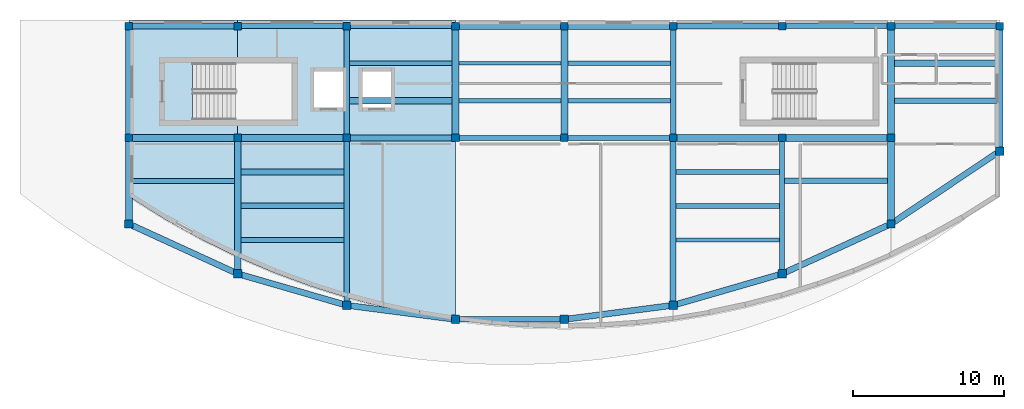
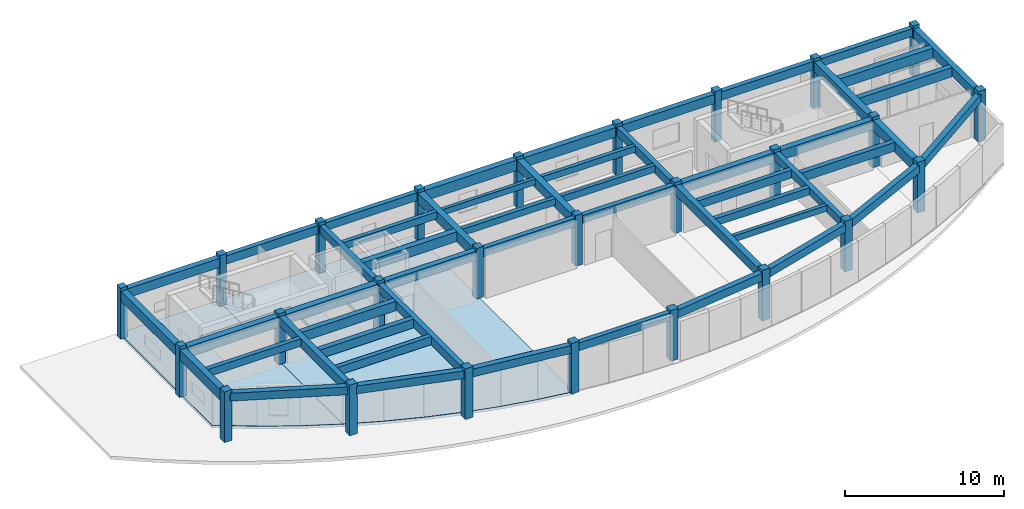
# One storey, part 1 of 6: 52 beams, 26 columns, 2 slabs.
"""IFC4 building model written with IfcOpenShell, lengths in metres."""

from ifc_helpers import new_model, si_unit, direction, frame, origin, origin_2d, place, context, subcontext, project, spatial, polyline, rectangle, outline, extrude, material, layer, layer_set, material_profile, profile_set, type_object, element, save


model = new_model("IFC4")

# Units and contexts
model_context = context("Model", 3, precision=1e-05, world=origin(), true_north=direction((0.0, 1.0)))
body_context = subcontext(model_context, "Body", "Model", "MODEL_VIEW")
ifc_project = project(units=[si_unit("LENGTHUNIT", "METRE"), si_unit("AREAUNIT", "SQUARE_METRE"), si_unit("VOLUMEUNIT", "CUBIC_METRE"), si_unit("PLANEANGLEUNIT", "RADIAN"), si_unit("MASSUNIT", "GRAM", prefix="KILO")], contexts=[model_context])

# Site, building, storey
site_placement = place(None, origin())
site = spatial("IfcSite", under=ifc_project, at=site_placement, CompositionType="ELEMENT")
building_placement = place(site_placement, origin())
building = spatial("IfcBuilding", under=site, at=building_placement, Name="Brisavento Harbour Community Centre", CompositionType="ELEMENT")
storey_placement = place(building_placement, frame((0.0, 0.0, 20.699951171875)))
storey = spatial("IfcBuildingStorey", under=building, at=storey_placement, Name="L05", CompositionType="ELEMENT", Elevation=20.699951171875)

# Columns
ifc_material = material(Name="Concrete C35/45", Category="concrete")
ifc_material_profile_1 = material_profile(ifc_material, rectangle(XDim=0.5, YDim=0.5, at=origin_2d()), Name="Concrete C35/45")
ifc_profile_set_1 = profile_set([ifc_material_profile_1], Name="Concrete C35/45")
column_type_1 = type_object("IfcColumnType", Name="COL-RC-500", PredefinedType="COLUMN", material=ifc_profile_set_1)
for number, where, z_axis, x_axis, name in (
    (1, (115.199951171875, 15.0, 0.0), (0.0, 0.0, 1.0), (1.0, 0.0, 0.0), "L05 column V3M-115"),
    (2, (115.199951171875, 22.39990234375, 0.0), (0.0, 0.0, 1.0), (1.0, 0.0, 0.0), "L05 column V3N1-115"),
    (3, (122.39990234375, 15.0, 0.0), (0.0, 0.0, 1.0), (1.0, 0.0, 0.0), "L05 column V3M-122"),
    (4, (122.39990234375, 22.39990234375, 0.0), (0.0, 0.0, 1.0), (1.0, 0.0, 0.0), "L05 column V3N1-122"),
    (5, (129.60009765625, 15.0, 0.0), (0.0, 0.0, 1.0), (1.0, 0.0, 0.0), "L05 column V3M-129"),
    (6, (129.60009765625, 22.39990234375, 0.0), (0.0, 0.0, 1.0), (1.0, 0.0, 0.0), "L05 column V3N1-129"),
    (7, (136.800048828125, 15.0, 0.0), (0.0, 0.0, 1.0), (1.0, 0.0, 0.0), "L05 column V3M-136"),
    (8, (136.800048828125, 22.39990234375, 0.0), (0.0, 0.0, 1.0), (1.0, 0.0, 0.0), "L05 column V3N1-136"),
    (9, (144.0, 15.0, 0.0), (0.0, 0.0, 1.0), (1.0, 0.0, 0.0), "L05 column V3M-144"),
    (10, (144.0, 22.39990234375, 0.0), (0.0, 0.0, 1.0), (1.0, 0.0, 0.0), "L05 column V3N1-144"),
    (11, (151.199951171875, 15.0, 0.0), (0.0, 0.0, 1.0), (1.0, 0.0, 0.0), "L05 column V3M-151"),
    (12, (151.199951171875, 22.39990234375, 0.0), (0.0, 0.0, 1.0), (1.0, 0.0, 0.0), "L05 column V3N1-151"),
    (13, (158.39990234375, 15.0, 0.0), (0.0, 0.0, 1.0), (1.0, 0.0, 0.0), "L05 column V3M-158"),
    (14, (158.39990234375, 22.39990234375, 0.0), (0.0, 0.0, 1.0), (1.0, 0.0, 0.0), "L05 column V3N1-158"),
    (15, (165.60009765625, 15.0, 0.0), (0.0, 0.0, 1.0), (1.0, 0.0, 0.0), "L05 column V3M-165"),
    (16, (165.60009765625, 22.39990234375, 0.0), (0.0, 0.0, 1.0), (1.0, 0.0, 0.0), "L05 column V3N1-165"),
    (17, (172.800048828125, 22.39990234375, 0.0), (0.0, 0.0, 1.0), (1.0, 0.0, 0.0), "L05 column V3N1-172"),
):
    element("IfcColumn", number, at=place(storey_placement, frame(where, z_axis=z_axis, x_axis=x_axis)), inside=storey, type_object=column_type_1, Name=name, PredefinedType="COLUMN", context=body_context, shape_type="SweptSolid", body=[
        extrude(rectangle(XDim=0.5, YDim=0.5, at=origin_2d()), origin(), (0.0, 0.0, 1.0), 3.900146484375),
    ])
ifc_material_profile_2 = material_profile(ifc_material, rectangle(XDim=0.550048828125, YDim=0.550048828125, at=origin_2d()), Name="Concrete C35/45")
ifc_profile_set_2 = profile_set([ifc_material_profile_2], Name="Concrete C35/45")
column_type_2 = type_object("IfcColumnType", Name="COL-RC-550", PredefinedType="COLUMN", material=ifc_profile_set_2)
for number, where, z_axis, x_axis, name in (
    (18, (115.199951171875, 9.31396484375, 0.0), (0.0, 0.0, 1.0), (1.0, 0.0, 0.0), "L05 column V3S-115"),
    (19, (122.39990234375, 6.014892578125, 0.0), (0.0, 0.0, 1.0), (1.0, 0.0, 0.0), "L05 column V3S-122"),
    (20, (129.60009765625, 3.93408203125, 0.0), (0.0, 0.0, 1.0), (1.0, 0.0, 0.0), "L05 column V3S-129"),
    (21, (136.800048828125, 3.0, 0.0), (0.0, 0.0, 1.0), (1.0, 0.0, 0.0), "L05 column V3S-136"),
    (22, (144.0, 3.0, 0.0), (0.0, 0.0, 1.0), (1.0, 0.0, 0.0), "L05 column V3S-144"),
    (23, (151.199951171875, 3.93408203125, 0.0), (0.0, 0.0, 1.0), (1.0, 0.0, 0.0), "L05 column V3S-151"),
    (24, (158.39990234375, 6.014892578125, 0.0), (0.0, 0.0, 1.0), (1.0, 0.0, 0.0), "L05 column V3S-158"),
    (25, (165.60009765625, 9.31396484375, 0.0), (0.0, 0.0, 1.0), (1.0, 0.0, 0.0), "L05 column V3S-165"),
    (26, (172.800048828125, 14.1279296875, 0.0), (0.0, 0.0, 1.0), (1.0, 0.0, 0.0), "L05 column V3S-172"),
):
    element("IfcColumn", number, at=place(storey_placement, frame(where, z_axis=z_axis, x_axis=x_axis)), inside=storey, type_object=column_type_2, Name=name, PredefinedType="COLUMN", context=body_context, shape_type="SweptSolid", body=[
        extrude(rectangle(XDim=0.550048828125, YDim=0.550048828125, at=origin_2d()), origin(), (0.0, 0.0, 1.0), 3.900146484375),
    ])

# Beams
ifc_material_profile_3 = material_profile(ifc_material, rectangle(XDim=0.25, YDim=0.449951171875, at=origin_2d()), Name="Concrete C35/45")
ifc_profile_set_3 = profile_set([ifc_material_profile_3], Name="Concrete C35/45")
beam_type_1 = type_object("IfcBeamType", Name="BM-JST-250x450", PredefinedType="JOIST", material=ifc_profile_set_3)
beam_1_placement = place(storey_placement, frame((137.02490234375, 19.933349609375, 3.43505859375), z_axis=(1.0, 0.0, 0.0), x_axis=(0.0, 1.0, 0.0)))
element("IfcBeam", 27, at=beam_1_placement, inside=storey, type_object=beam_type_1, Name="L05 secondary floor joist 0365", PredefinedType="JOIST", context=body_context, shape_type="SweptSolid", body=[
    extrude(rectangle(XDim=0.25, YDim=0.449951171875, at=origin_2d()), origin(), (0.0, 0.0, 1.0), 6.75),
])
ifc_material_profile_4 = material_profile(ifc_material, rectangle(XDim=0.260009765625, YDim=0.4599609375, at=origin_2d()), Name="Concrete C35/45")
ifc_profile_set_4 = profile_set([ifc_material_profile_4], Name="Concrete C35/45")
beam_type_2 = type_object("IfcBeamType", Name="BM-JST-260x460", PredefinedType="JOIST", material=ifc_profile_set_4)
beam_2_placement = place(storey_placement, frame((151.39990234375, 8.26123046875, 3.429931640625), z_axis=(1.0, 0.0, 0.0), x_axis=(0.0, 1.0, 0.0)))
element("IfcBeam", 28, at=beam_2_placement, inside=storey, type_object=beam_type_2, Name="L05 secondary floor joist 0368", PredefinedType="JOIST", context=body_context, shape_type="SweptSolid", body=[
    extrude(rectangle(XDim=0.260009765625, YDim=0.4599609375, at=origin_2d()), origin(), (0.0, 0.0, 1.0), 6.8251953125),
])
ifc_material_profile_5 = material_profile(ifc_material, rectangle(XDim=0.280029296875, YDim=0.47998046875, at=origin_2d()), Name="Concrete C35/45")
ifc_profile_set_5 = profile_set([ifc_material_profile_5], Name="Concrete C35/45")
beam_type_3 = type_object("IfcBeamType", Name="BM-JST-280x480", PredefinedType="JOIST", material=ifc_profile_set_5)
beam_3_placement = place(storey_placement, frame((144.22509765625, 19.933349609375, 3.420166015625), z_axis=(1.0, 0.0, 0.0), x_axis=(0.0, 1.0, 0.0)))
element("IfcBeam", 29, at=beam_3_placement, inside=storey, type_object=beam_type_3, Name="L05 secondary floor joist 0367", PredefinedType="JOIST", context=body_context, shape_type="SweptSolid", body=[
    extrude(rectangle(XDim=0.280029296875, YDim=0.47998046875, at=origin_2d()), origin(), (0.0, 0.0, 1.0), 6.7998046875),
])
ifc_material_profile_6 = material_profile(ifc_material, rectangle(XDim=0.280029296875, YDim=0.52001953125, at=origin_2d()), Name="Concrete C35/45")
ifc_profile_set_6 = profile_set([ifc_material_profile_6], Name="Concrete C35/45")
beam_type_4 = type_object("IfcBeamType", Name="BM-JST-280x520", PredefinedType="JOIST", material=ifc_profile_set_6)
beam_4_placement = place(storey_placement, frame((144.22509765625, 17.466796875, 3.400146484375), z_axis=(1.0, 0.0, 0.0), x_axis=(0.0, 1.0, 0.0)))
element("IfcBeam", 30, at=beam_4_placement, inside=storey, type_object=beam_type_4, Name="L05 secondary floor joist 0366", PredefinedType="JOIST", context=body_context, shape_type="SweptSolid", body=[
    extrude(rectangle(XDim=0.280029296875, YDim=0.52001953125, at=origin_2d()), origin(), (0.0, 0.0, 1.0), 6.7998046875),
])
ifc_material_profile_7 = material_profile(ifc_material, rectangle(XDim=0.300048828125, YDim=0.5, at=origin_2d()), Name="Concrete C35/45")
ifc_profile_set_7 = profile_set([ifc_material_profile_7], Name="Concrete C35/45")
beam_type_5 = type_object("IfcBeamType", Name="BM-JST-300x500", PredefinedType="JOIST", material=ifc_profile_set_7)
beam_5_placement = place(storey_placement, frame((137.02490234375, 17.466796875, 3.41015625), z_axis=(1.0, 0.0, 0.0), x_axis=(0.0, 1.0, 0.0)))
element("IfcBeam", 31, at=beam_5_placement, inside=storey, type_object=beam_type_5, Name="L05 secondary floor joist 0364", PredefinedType="JOIST", context=body_context, shape_type="SweptSolid", body=[
    extrude(rectangle(XDim=0.300048828125, YDim=0.5, at=origin_2d()), origin(), (0.0, 0.0, 1.0), 6.75),
])
ifc_material_profile_8 = material_profile(ifc_material, rectangle(XDim=0.300048828125, YDim=0.550048828125, at=origin_2d()), Name="Concrete C35/45")
ifc_profile_set_8 = profile_set([ifc_material_profile_8], Name="Concrete C35/45")
beam_type_6 = type_object("IfcBeamType", Name="BM-JST-300x550", PredefinedType="JOIST", material=ifc_profile_set_8)
beam_6_placement = place(storey_placement, frame((129.77490234375, 19.933349609375, 3.385009765625), z_axis=(1.0, 0.0, 0.0), x_axis=(0.0, 1.0, 0.0)))
element("IfcBeam", 32, at=beam_6_placement, inside=storey, type_object=beam_type_6, Name="L05 secondary floor joist 0363", PredefinedType="JOIST", context=body_context, shape_type="SweptSolid", body=[
    extrude(rectangle(XDim=0.300048828125, YDim=0.550048828125, at=origin_2d()), origin(), (0.0, 0.0, 1.0), 6.800048828125),
])
ifc_material_profile_9 = material_profile(ifc_material, rectangle(XDim=0.320068359375, YDim=0.56005859375, at=origin_2d()), Name="Concrete C35/45")
ifc_profile_set_9 = profile_set([ifc_material_profile_9], Name="Concrete C35/45")
beam_type_7 = type_object("IfcBeamType", Name="BM-JST-320x560", PredefinedType="JOIST", material=ifc_profile_set_9)
beam_7_placement = place(storey_placement, frame((115.425048828125, 12.156982421875, 3.380126953125), z_axis=(1.0, 0.0, 0.0), x_axis=(0.0, 1.0, 0.0)))
element("IfcBeam", 33, at=beam_7_placement, inside=storey, type_object=beam_type_7, Name="L05 secondary floor joist 0358", PredefinedType="JOIST", context=body_context, shape_type="SweptSolid", body=[
    extrude(rectangle(XDim=0.320068359375, YDim=0.56005859375, at=origin_2d()), origin(), (0.0, 0.0, 1.0), 6.77490234375),
])
beam_8_placement = place(storey_placement, frame((151.39990234375, 10.507568359375, 3.380126953125), z_axis=(1.0, 0.0, 0.0), x_axis=(0.0, 1.0, 0.0)))
element("IfcBeam", 34, at=beam_8_placement, inside=storey, type_object=beam_type_7, Name="L05 secondary floor joist 0369", PredefinedType="JOIST", context=body_context, shape_type="SweptSolid", body=[
    extrude(rectangle(XDim=0.320068359375, YDim=0.56005859375, at=origin_2d()), origin(), (0.0, 0.0, 1.0), 6.8251953125),
])
ifc_material_profile_10 = material_profile(ifc_material, rectangle(XDim=0.320068359375, YDim=0.6201171875, at=origin_2d()), Name="Concrete C35/45")
ifc_profile_set_10 = profile_set([ifc_material_profile_10], Name="Concrete C35/45")
beam_type_8 = type_object("IfcBeamType", Name="BM-JST-320x620", PredefinedType="JOIST", material=ifc_profile_set_10)
beam_9_placement = place(storey_placement, frame((122.60009765625, 8.26123046875, 3.35009765625), z_axis=(1.0, 0.0, 0.0), x_axis=(0.0, 1.0, 0.0)))
element("IfcBeam", 35, at=beam_9_placement, inside=storey, type_object=beam_type_8, Name="L05 secondary floor joist 0359", PredefinedType="JOIST", context=body_context, shape_type="SweptSolid", body=[
    extrude(rectangle(XDim=0.320068359375, YDim=0.6201171875, at=origin_2d()), origin(), (0.0, 0.0, 1.0), 6.824951171875),
])
beam_10_placement = place(storey_placement, frame((151.39990234375, 12.75390625, 3.35009765625), z_axis=(1.0, 0.0, 0.0), x_axis=(0.0, 1.0, 0.0)))
element("IfcBeam", 36, at=beam_10_placement, inside=storey, type_object=beam_type_8, Name="L05 secondary floor joist 0370", PredefinedType="JOIST", context=body_context, shape_type="SweptSolid", body=[
    extrude(rectangle(XDim=0.320068359375, YDim=0.6201171875, at=origin_2d()), origin(), (0.0, 0.0, 1.0), 6.8251953125),
])
ifc_material_profile_11 = material_profile(ifc_material, rectangle(XDim=0.360107421875, YDim=0.679931640625, at=origin_2d()), Name="Concrete C35/45")
ifc_profile_set_11 = profile_set([ifc_material_profile_11], Name="Concrete C35/45")
beam_type_9 = type_object("IfcBeamType", Name="BM-JST-360x680", PredefinedType="JOIST", material=ifc_profile_set_11)
beam_11_placement = place(storey_placement, frame((122.60009765625, 10.507568359375, 3.320068359375), z_axis=(1.0, 0.0, 0.0), x_axis=(0.0, 1.0, 0.0)))
element("IfcBeam", 37, at=beam_11_placement, inside=storey, type_object=beam_type_9, Name="L05 secondary floor joist 0360", PredefinedType="JOIST", context=body_context, shape_type="SweptSolid", body=[
    extrude(rectangle(XDim=0.360107421875, YDim=0.679931640625, at=origin_2d()), origin(), (0.0, 0.0, 1.0), 6.824951171875),
])
beam_12_placement = place(storey_placement, frame((158.574951171875, 12.156982421875, 3.320068359375), z_axis=(1.0, 0.0, 0.0), x_axis=(0.0, 1.0, 0.0)))
element("IfcBeam", 38, at=beam_12_placement, inside=storey, type_object=beam_type_9, Name="L05 secondary floor joist 0371", PredefinedType="JOIST", context=body_context, shape_type="SweptSolid", body=[
    extrude(rectangle(XDim=0.360107421875, YDim=0.679931640625, at=origin_2d()), origin(), (0.0, 0.0, 1.0), 6.800048828125),
])
ifc_material_profile_12 = material_profile(ifc_material, rectangle(XDim=0.3798828125, YDim=0.719970703125, at=origin_2d()), Name="Concrete C35/45")
ifc_profile_set_12 = profile_set([ifc_material_profile_12], Name="Concrete C35/45")
beam_type_10 = type_object("IfcBeamType", Name="BM-JST-380x720", PredefinedType="JOIST", material=ifc_profile_set_12)
beam_13_placement = place(storey_placement, frame((122.60009765625, 12.75390625, 3.300048828125), z_axis=(1.0, 0.0, 0.0), x_axis=(0.0, 1.0, 0.0)))
element("IfcBeam", 39, at=beam_13_placement, inside=storey, type_object=beam_type_10, Name="L05 secondary floor joist 0361", PredefinedType="JOIST", context=body_context, shape_type="SweptSolid", body=[
    extrude(rectangle(XDim=0.3798828125, YDim=0.719970703125, at=origin_2d()), origin(), (0.0, 0.0, 1.0), 6.824951171875),
])
beam_14_placement = place(storey_placement, frame((165.824951171875, 17.466796875, 3.300048828125), z_axis=(1.0, 0.0, 0.0), x_axis=(0.0, 1.0, 0.0)))
element("IfcBeam", 40, at=beam_14_placement, inside=storey, type_object=beam_type_10, Name="L05 secondary floor joist 0372", PredefinedType="JOIST", context=body_context, shape_type="SweptSolid", body=[
    extrude(rectangle(XDim=0.3798828125, YDim=0.719970703125, at=origin_2d()), origin(), (0.0, 0.0, 1.0), 6.775146484375),
])
ifc_material_profile_13 = material_profile(ifc_material, rectangle(XDim=0.419921875, YDim=0.760009765625, at=origin_2d()), Name="Concrete C35/45")
ifc_profile_set_13 = profile_set([ifc_material_profile_13], Name="Concrete C35/45")
beam_type_11 = type_object("IfcBeamType", Name="BM-JST-420x760", PredefinedType="JOIST", material=ifc_profile_set_13)
beam_15_placement = place(storey_placement, frame((129.77490234375, 17.466796875, 3.280029296875), z_axis=(1.0, 0.0, 0.0), x_axis=(0.0, 1.0, 0.0)))
element("IfcBeam", 41, at=beam_15_placement, inside=storey, type_object=beam_type_11, Name="L05 secondary floor joist 0362", PredefinedType="JOIST", context=body_context, shape_type="SweptSolid", body=[
    extrude(rectangle(XDim=0.419921875, YDim=0.760009765625, at=origin_2d()), origin(), (0.0, 0.0, 1.0), 6.800048828125),
])
beam_16_placement = place(storey_placement, frame((165.824951171875, 19.933349609375, 3.280029296875), z_axis=(1.0, 0.0, 0.0), x_axis=(0.0, 1.0, 0.0)))
element("IfcBeam", 42, at=beam_16_placement, inside=storey, type_object=beam_type_11, Name="L05 secondary floor joist 0373", PredefinedType="JOIST", context=body_context, shape_type="SweptSolid", body=[
    extrude(rectangle(XDim=0.419921875, YDim=0.760009765625, at=origin_2d()), origin(), (0.0, 0.0, 1.0), 6.775146484375),
])
ifc_material_profile_14 = material_profile(ifc_material, rectangle(XDim=0.35009765625, YDim=0.60009765625, at=origin_2d()), Name="Concrete C35/45")
ifc_profile_set_14 = profile_set([ifc_material_profile_14], Name="Concrete C35/45")
beam_type_12 = type_object("IfcBeamType", Name="BM-RC-350x600", PredefinedType="BEAM", material=ifc_profile_set_14)
beam_17_placement = place(storey_placement, frame((137.044921875, 3.0, 3.360107421875), z_axis=(1.0, 0.0, 0.0), x_axis=(0.0, 1.0, 0.0)))
element("IfcBeam", 43, at=beam_17_placement, inside=storey, type_object=beam_type_12, Name="L05 primary girder X0724", PredefinedType="BEAM", context=body_context, shape_type="SweptSolid", body=[
    extrude(rectangle(XDim=0.35009765625, YDim=0.60009765625, at=origin_2d()), origin(), (0.0, 0.0, 1.0), 6.7099609375),
])
for number, where, z_axis, x_axis, name in (
    (44, (144.219970703125, 15.0, 3.360107421875), (1.0, 0.0, 0.0), (0.0, 1.0, 0.0), "L05 primary girder X0729"),
    (45, (129.820068359375, 22.39990234375, 3.360107421875), (1.0, 0.0, 0.0), (0.0, 1.0, 0.0), "L05 primary girder X0734"),
    (46, (165.820068359375, 22.39990234375, 3.360107421875), (1.0, 0.0, 0.0), (0.0, 1.0, 0.0), "L05 primary girder X0739"),
):
    element("IfcBeam", number, at=place(storey_placement, frame(where, z_axis=z_axis, x_axis=x_axis)), inside=storey, type_object=beam_type_12, Name=name, PredefinedType="BEAM", context=body_context, shape_type="SweptSolid", body=[
        extrude(rectangle(XDim=0.35009765625, YDim=0.60009765625, at=origin_2d()), origin(), (0.0, 0.0, 1.0), 6.760009765625),
    ])
beam_18_placement = place(storey_placement, frame((129.60009765625, 15.219970703125, 3.360107421875), z_axis=(0.0, 1.0, 0.0), x_axis=(-1.0, 0.0, 0.0)))
element("IfcBeam", 47, at=beam_18_placement, inside=storey, type_object=beam_type_12, Name="L05 primary girder Y0744", PredefinedType="BEAM", context=body_context, shape_type="SweptSolid", body=[
    extrude(rectangle(XDim=0.35009765625, YDim=0.60009765625, at=origin_2d()), origin(), (0.0, 0.0, 1.0), 6.9599609375),
])
beam_19_placement = place(storey_placement, frame((158.39990234375, 6.260009765625, 3.360107421875), z_axis=(0.0, 1.0, 0.0), x_axis=(-1.0, 0.0, 0.0)))
element("IfcBeam", 48, at=beam_19_placement, inside=storey, type_object=beam_type_12, Name="L05 primary girder Y0749", PredefinedType="BEAM", context=body_context, shape_type="SweptSolid", body=[
    extrude(rectangle(XDim=0.35009765625, YDim=0.60009765625, at=origin_2d()), origin(), (0.0, 0.0, 1.0), 8.52001953125),
])
ifc_material_profile_15 = material_profile(ifc_material, rectangle(XDim=0.35009765625, YDim=0.64990234375, at=origin_2d()), Name="Concrete C35/45")
ifc_profile_set_15 = profile_set([ifc_material_profile_15], Name="Concrete C35/45")
beam_type_13 = type_object("IfcBeamType", Name="BM-RC-350x650", PredefinedType="BEAM", material=ifc_profile_set_15)
beam_20_placement = place(storey_placement, frame((137.02001953125, 15.0, 3.3349609375), z_axis=(1.0, 0.0, 0.0), x_axis=(0.0, 1.0, 0.0)))
element("IfcBeam", 49, at=beam_20_placement, inside=storey, type_object=beam_type_13, Name="L05 primary girder X0728", PredefinedType="BEAM", context=body_context, shape_type="SweptSolid", body=[
    extrude(rectangle(XDim=0.35009765625, YDim=0.64990234375, at=origin_2d()), origin(), (0.0, 0.0, 1.0), 6.760009765625),
])
for number, where, z_axis, x_axis, name in (
    (50, (122.6201171875, 22.39990234375, 3.3349609375), (1.0, 0.0, 0.0), (0.0, 1.0, 0.0), "L05 primary girder X0733"),
    (51, (158.6201171875, 22.39990234375, 3.3349609375), (1.0, 0.0, 0.0), (0.0, 1.0, 0.0), "L05 primary girder X0738"),
):
    element("IfcBeam", number, at=place(storey_placement, frame(where, z_axis=z_axis, x_axis=x_axis)), inside=storey, type_object=beam_type_13, Name=name, PredefinedType="BEAM", context=body_context, shape_type="SweptSolid", body=[
        extrude(rectangle(XDim=0.35009765625, YDim=0.64990234375, at=origin_2d()), origin(), (0.0, 0.0, 1.0), 6.759765625),
    ])
beam_21_placement = place(storey_placement, frame((129.60009765625, 4.178955078125, 3.3349609375), z_axis=(0.0, 1.0, 0.0), x_axis=(-1.0, 0.0, 0.0)))
element("IfcBeam", 52, at=beam_21_placement, inside=storey, type_object=beam_type_13, Name="L05 primary girder Y0743", PredefinedType="BEAM", context=body_context, shape_type="SweptSolid", body=[
    extrude(rectangle(XDim=0.35009765625, YDim=0.64990234375, at=origin_2d()), origin(), (0.0, 0.0, 1.0), 10.60107421875),
])
beam_22_placement = place(storey_placement, frame((151.199951171875, 15.219970703125, 3.3349609375), z_axis=(0.0, 1.0, 0.0), x_axis=(-1.0, 0.0, 0.0)))
element("IfcBeam", 53, at=beam_22_placement, inside=storey, type_object=beam_type_13, Name="L05 primary girder Y0748", PredefinedType="BEAM", context=body_context, shape_type="SweptSolid", body=[
    extrude(rectangle(XDim=0.35009765625, YDim=0.64990234375, at=origin_2d()), origin(), (0.0, 0.0, 1.0), 6.9599609375),
])
ifc_material_profile_16 = material_profile(ifc_material, rectangle(XDim=0.39990234375, YDim=0.699951171875, at=origin_2d()), Name="Concrete C35/45")
ifc_profile_set_16 = profile_set([ifc_material_profile_16], Name="Concrete C35/45")
beam_type_14 = type_object("IfcBeamType", Name="BM-RC-400x700", PredefinedType="BEAM", material=ifc_profile_set_16)
for number, where, z_axis, x_axis, name in (
    (54, (129.820068359375, 15.0, 3.31005859375), (1.0, 0.0, 0.0), (0.0, 1.0, 0.0), "L05 primary girder X0727"),
    (55, (115.419921875, 22.39990234375, 3.31005859375), (1.0, 0.0, 0.0), (0.0, 1.0, 0.0), "L05 primary girder X0732"),
    (56, (151.419921875, 22.39990234375, 3.31005859375), (1.0, 0.0, 0.0), (0.0, 1.0, 0.0), "L05 primary girder X0737"),
):
    element("IfcBeam", number, at=place(storey_placement, frame(where, z_axis=z_axis, x_axis=x_axis)), inside=storey, type_object=beam_type_14, Name=name, PredefinedType="BEAM", context=body_context, shape_type="SweptSolid", body=[
        extrude(rectangle(XDim=0.39990234375, YDim=0.699951171875, at=origin_2d()), origin(), (0.0, 0.0, 1.0), 6.760009765625),
    ])
beam_23_placement = place(storey_placement, frame((122.39990234375, 6.260009765625, 3.31005859375), z_axis=(0.0, 1.0, 0.0), x_axis=(-1.0, 0.0, 0.0)))
element("IfcBeam", 57, at=beam_23_placement, inside=storey, type_object=beam_type_14, Name="L05 primary girder Y0742", PredefinedType="BEAM", context=body_context, shape_type="SweptSolid", body=[
    extrude(rectangle(XDim=0.39990234375, YDim=0.699951171875, at=origin_2d()), origin(), (0.0, 0.0, 1.0), 8.52001953125),
])
beam_24_placement = place(storey_placement, frame((151.199951171875, 4.178955078125, 3.31005859375), z_axis=(0.0, 1.0, 0.0), x_axis=(-1.0, 0.0, 0.0)))
element("IfcBeam", 58, at=beam_24_placement, inside=storey, type_object=beam_type_14, Name="L05 primary girder Y0747", PredefinedType="BEAM", context=body_context, shape_type="SweptSolid", body=[
    extrude(rectangle(XDim=0.39990234375, YDim=0.699951171875, at=origin_2d()), origin(), (0.0, 0.0, 1.0), 10.60107421875),
])
beam_25_placement = place(storey_placement, frame((172.800048828125, 14.373046875, 3.31005859375), z_axis=(0.0, 1.0, 0.0), x_axis=(-1.0, 0.0, 0.0)))
element("IfcBeam", 59, at=beam_25_placement, inside=storey, type_object=beam_type_14, Name="L05 primary girder Y0752", PredefinedType="BEAM", context=body_context, shape_type="SweptSolid", body=[
    extrude(rectangle(XDim=0.39990234375, YDim=0.699951171875, at=origin_2d()), origin(), (0.0, 0.0, 1.0), 7.806884765625),
])
ifc_material_profile_17 = material_profile(ifc_material, rectangle(XDim=0.449951171875, YDim=0.75, at=origin_2d()), Name="Concrete C35/45")
ifc_profile_set_17 = profile_set([ifc_material_profile_17], Name="Concrete C35/45")
beam_type_15 = type_object("IfcBeamType", Name="BM-RC-450x750", PredefinedType="BEAM", material=ifc_profile_set_17)
for number, where, z_axis, x_axis, name in (
    (60, (122.6201171875, 15.0, 3.28515625), (1.0, 0.0, 0.0), (0.0, 1.0, 0.0), "L05 primary girder X0726"),
    (61, (158.6201171875, 15.0, 3.28515625), (1.0, 0.0, 0.0), (0.0, 1.0, 0.0), "L05 primary girder X0731"),
):
    element("IfcBeam", number, at=place(storey_placement, frame(where, z_axis=z_axis, x_axis=x_axis)), inside=storey, type_object=beam_type_15, Name=name, PredefinedType="BEAM", context=body_context, shape_type="SweptSolid", body=[
        extrude(rectangle(XDim=0.449951171875, YDim=0.75, at=origin_2d()), origin(), (0.0, 0.0, 1.0), 6.759765625),
    ])
beam_26_placement = place(storey_placement, frame((144.219970703125, 22.39990234375, 3.28515625), z_axis=(1.0, 0.0, 0.0), x_axis=(0.0, 1.0, 0.0)))
element("IfcBeam", 62, at=beam_26_placement, inside=storey, type_object=beam_type_15, Name="L05 primary girder X0736", PredefinedType="BEAM", context=body_context, shape_type="SweptSolid", body=[
    extrude(rectangle(XDim=0.449951171875, YDim=0.75, at=origin_2d()), origin(), (0.0, 0.0, 1.0), 6.760009765625),
])
for number, where, z_axis, x_axis, name in (
    (63, (115.199951171875, 15.219970703125, 3.28515625), (0.0, 1.0, 0.0), (-1.0, 0.0, 0.0), "L05 primary girder Y0741"),
    (64, (144.0, 15.219970703125, 3.28515625), (0.0, 1.0, 0.0), (-1.0, 0.0, 0.0), "L05 primary girder Y0746"),
    (65, (165.60009765625, 15.219970703125, 3.28515625), (0.0, 1.0, 0.0), (-1.0, 0.0, 0.0), "L05 primary girder Y0751"),
):
    element("IfcBeam", number, at=place(storey_placement, frame(where, z_axis=z_axis, x_axis=x_axis)), inside=storey, type_object=beam_type_15, Name=name, PredefinedType="BEAM", context=body_context, shape_type="SweptSolid", body=[
        extrude(rectangle(XDim=0.449951171875, YDim=0.75, at=origin_2d()), origin(), (0.0, 0.0, 1.0), 6.9599609375),
    ])
ifc_material_profile_18 = material_profile(ifc_material, rectangle(XDim=0.449951171875, YDim=0.800048828125, at=origin_2d()), Name="Concrete C35/45")
ifc_profile_set_18 = profile_set([ifc_material_profile_18], Name="Concrete C35/45")
beam_type_16 = type_object("IfcBeamType", Name="BM-RC-450x800", PredefinedType="BEAM", material=ifc_profile_set_18)
for number, where, z_axis, x_axis, name in (
    (66, (115.419921875, 15.0, 3.260009765625), (1.0, 0.0, 0.0), (0.0, 1.0, 0.0), "L05 primary girder X0725"),
    (67, (151.419921875, 15.0, 3.260009765625), (1.0, 0.0, 0.0), (0.0, 1.0, 0.0), "L05 primary girder X0730"),
    (68, (137.02001953125, 22.39990234375, 3.260009765625), (1.0, 0.0, 0.0), (0.0, 1.0, 0.0), "L05 primary girder X0735"),
):
    element("IfcBeam", number, at=place(storey_placement, frame(where, z_axis=z_axis, x_axis=x_axis)), inside=storey, type_object=beam_type_16, Name=name, PredefinedType="BEAM", context=body_context, shape_type="SweptSolid", body=[
        extrude(rectangle(XDim=0.449951171875, YDim=0.800048828125, at=origin_2d()), origin(), (0.0, 0.0, 1.0), 6.760009765625),
    ])
beam_27_placement = place(storey_placement, frame((115.199951171875, 9.55908203125, 3.260009765625), z_axis=(0.0, 1.0, 0.0), x_axis=(-1.0, 0.0, 0.0)))
element("IfcBeam", 69, at=beam_27_placement, inside=storey, type_object=beam_type_16, Name="L05 primary girder Y0740", PredefinedType="BEAM", context=body_context, shape_type="SweptSolid", body=[
    extrude(rectangle(XDim=0.449951171875, YDim=0.800048828125, at=origin_2d()), origin(), (0.0, 0.0, 1.0), 5.220947265625),
])
beam_28_placement = place(storey_placement, frame((136.800048828125, 15.219970703125, 3.260009765625), z_axis=(0.0, 1.0, 0.0), x_axis=(-1.0, 0.0, 0.0)))
element("IfcBeam", 70, at=beam_28_placement, inside=storey, type_object=beam_type_16, Name="L05 primary girder Y0745", PredefinedType="BEAM", context=body_context, shape_type="SweptSolid", body=[
    extrude(rectangle(XDim=0.449951171875, YDim=0.800048828125, at=origin_2d()), origin(), (0.0, 0.0, 1.0), 6.9599609375),
])
beam_29_placement = place(storey_placement, frame((165.60009765625, 9.55908203125, 3.260009765625), z_axis=(0.0, 1.0, 0.0), x_axis=(-1.0, 0.0, 0.0)))
element("IfcBeam", 71, at=beam_29_placement, inside=storey, type_object=beam_type_16, Name="L05 primary girder Y0750", PredefinedType="BEAM", context=body_context, shape_type="SweptSolid", body=[
    extrude(rectangle(XDim=0.449951171875, YDim=0.800048828125, at=origin_2d()), origin(), (0.0, 0.0, 1.0), 5.220947265625),
])
ifc_material_profile_19 = material_profile(ifc_material, rectangle(XDim=0.39990234375, YDim=0.60009765625, at=origin_2d()), Name="Concrete C35/45")
ifc_profile_set_19 = profile_set([ifc_material_profile_19], Name="Concrete C35/45")
beam_type_17 = type_object("IfcBeamType", Name="BM-SPN-400x600", PredefinedType="SPANDREL", material=ifc_profile_set_19)
beam_30_placement = place(storey_placement, frame((115.422607421875, 9.2119140625, 3.360107421875), z_axis=(0.909123414107, -0.416526851383, 0.0), x_axis=(0.416526851383, 0.909123414107, 0.0)))
element("IfcBeam", 72, at=beam_30_placement, inside=storey, type_object=beam_type_17, Name="L05 curved perimeter spandrel 0753", PredefinedType="SPANDREL", context=body_context, shape_type="SweptSolid", body=[
    extrude(rectangle(XDim=0.39990234375, YDim=0.60009765625, at=origin_2d()), origin(), (0.0, 0.0, 1.0), 7.429931640625),
])
beam_31_placement = place(storey_placement, frame((122.635498046875, 5.947021484375, 3.360107421875), z_axis=(0.960671007691, -0.277689061689, 0.0), x_axis=(0.277689061689, 0.960671007691, 0.0)))
element("IfcBeam", 73, at=beam_31_placement, inside=storey, type_object=beam_type_17, Name="L05 curved perimeter spandrel 0754", PredefinedType="SPANDREL", context=body_context, shape_type="SweptSolid", body=[
    extrude(rectangle(XDim=0.39990234375, YDim=0.60009765625, at=origin_2d()), origin(), (0.0, 0.0, 1.0), 7.00439453125),
])
beam_32_placement = place(storey_placement, frame((129.843017578125, 3.902587890625, 3.360107421875), z_axis=(0.991687856755, -0.128666991742, 0.0), x_axis=(0.128666991742, 0.991687856755, 0.0)))
element("IfcBeam", 74, at=beam_32_placement, inside=storey, type_object=beam_type_17, Name="L05 curved perimeter spandrel 0755", PredefinedType="SPANDREL", context=body_context, shape_type="SweptSolid", body=[
    extrude(rectangle(XDim=0.39990234375, YDim=0.60009765625, at=origin_2d()), origin(), (0.0, 0.0, 1.0), 6.77001953125),
])
beam_33_placement = place(storey_placement, frame((144.242919921875, 3.031494140625, 3.360107421875), z_axis=(0.991688453726, 0.128662390564, 0.0), x_axis=(-0.128662390564, 0.991688453726, 0.0)))
element("IfcBeam", 75, at=beam_33_placement, inside=storey, type_object=beam_type_17, Name="L05 curved perimeter spandrel 0756", PredefinedType="SPANDREL", context=body_context, shape_type="SweptSolid", body=[
    extrude(rectangle(XDim=0.39990234375, YDim=0.60009765625, at=origin_2d()), origin(), (0.0, 0.0, 1.0), 6.770263671875),
])
beam_34_placement = place(storey_placement, frame((151.435302734375, 4.001953125, 3.360107421875), z_axis=(0.960673695261, 0.277679763819, 0.0), x_axis=(-0.277679763819, 0.960673695261, 0.0)))
element("IfcBeam", 76, at=beam_34_placement, inside=storey, type_object=beam_type_17, Name="L05 curved perimeter spandrel 0757", PredefinedType="SPANDREL", context=body_context, shape_type="SweptSolid", body=[
    extrude(rectangle(XDim=0.39990234375, YDim=0.60009765625, at=origin_2d()), origin(), (0.0, 0.0, 1.0), 7.004638671875),
])
beam_35_placement = place(storey_placement, frame((158.622802734375, 6.1171875, 3.360107421875), z_axis=(0.909117712907, 0.416539294759, 0.0), x_axis=(-0.416539294759, 0.909117712907, 0.0)))
element("IfcBeam", 77, at=beam_35_placement, inside=storey, type_object=beam_type_17, Name="L05 curved perimeter spandrel 0758", PredefinedType="SPANDREL", context=body_context, shape_type="SweptSolid", body=[
    extrude(rectangle(XDim=0.39990234375, YDim=0.60009765625, at=origin_2d()), origin(), (0.0, 0.0, 1.0), 7.4296875),
])
beam_36_placement = place(storey_placement, frame((165.8037109375, 9.4501953125, 3.360107421875), z_axis=(0.831304857774, 0.555816726486, 0.0), x_axis=(-0.555816726486, 0.831304857774, 0.0)))
element("IfcBeam", 78, at=beam_36_placement, inside=storey, type_object=beam_type_17, Name="L05 curved perimeter spandrel 0759", PredefinedType="SPANDREL", context=body_context, shape_type="SweptSolid", body=[
    extrude(rectangle(XDim=0.39990234375, YDim=0.60009765625, at=origin_2d()), origin(), (0.0, 0.0, 1.0), 8.1708984375),
])

# Slabs
ifc_layer = layer(ifc_material, 0.219970703125, Name="Concrete C35/45")
ifc_layer_set = layer_set([ifc_layer], Name="Concrete C35/45")
slab_type = type_object("IfcSlabType", Name="SLB-FLR-220", PredefinedType="FLOOR", material=ifc_layer_set)
slab_1_placement = place(storey_placement, frame((0.0, 0.0, -0.219970703125)))
element("IfcSlab", 79, at=slab_1_placement, inside=storey, type_object=slab_type, Name="L05 V3 structural floor slab 056", PredefinedType="FLOOR", context=body_context, shape_type="SweptSolid", body=[
    extrude(outline(polyline([(115.199951171875, 22.800048828125), (115.199951171875, 11.103759765625), (117.60009765625, 9.60009765625), (120.0, 8.269775390625), (122.39990234375, 7.098388671875), (122.39990234375, 16.2080078125), (119.407958984375, 16.2080078125), (119.407958984375, 19.94189453125), (122.39990234375, 19.94189453125), (122.39990234375, 22.800048828125), (115.199951171875, 22.800048828125)])), origin(), (0.0, 0.0, 1.0), 0.219970703125),
])
slab_2_placement = place(storey_placement, frame((0.0, 0.0, -0.219970703125)))
element("IfcSlab", 80, at=slab_2_placement, inside=storey, type_object=slab_type, Name="L05 V3 structural floor slab 057", PredefinedType="FLOOR", context=body_context, shape_type="SweptSolid", body=[
    extrude(outline(polyline([(122.39990234375, 22.800048828125), (122.39990234375, 19.94189453125), (125.991943359375, 19.94189453125), (125.991943359375, 16.2080078125), (122.39990234375, 16.2080078125), (122.39990234375, 7.098388671875), (124.800048828125, 6.074462890625), (127.199951171875, 5.188720703125), (129.60009765625, 4.43359375), (132.0, 3.8037109375), (134.39990234375, 3.293701171875), (136.800048828125, 2.90087890625), (136.800048828125, 22.800048828125), (122.39990234375, 22.800048828125)]), holes=[polyline([(127.449951171875, 19.39990234375), (129.35009765625, 19.39990234375), (129.35009765625, 17.0), (127.449951171875, 17.0), (127.449951171875, 19.39990234375)]), polyline([(130.64990234375, 19.39990234375), (132.550048828125, 19.39990234375), (132.550048828125, 17.0), (130.64990234375, 17.0), (130.64990234375, 19.39990234375)])]), origin(), (0.0, 0.0, 1.0), 0.219970703125),
])

save(model, "model.ifc")
